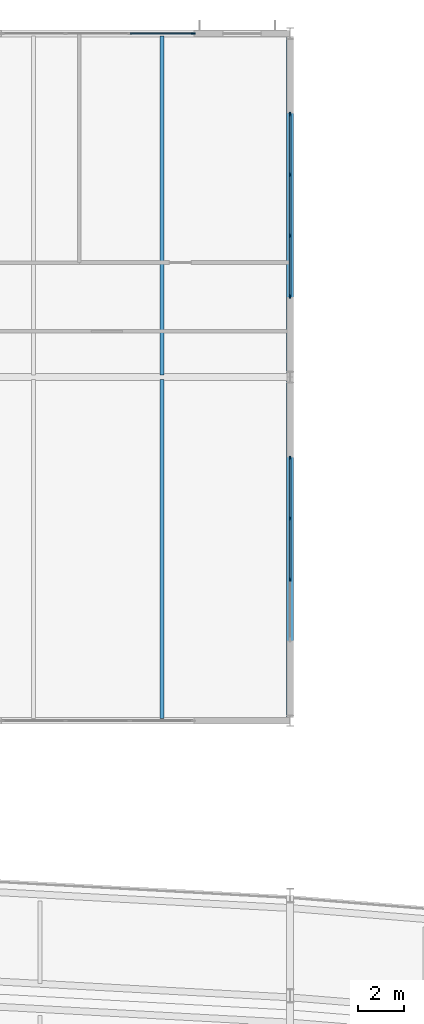
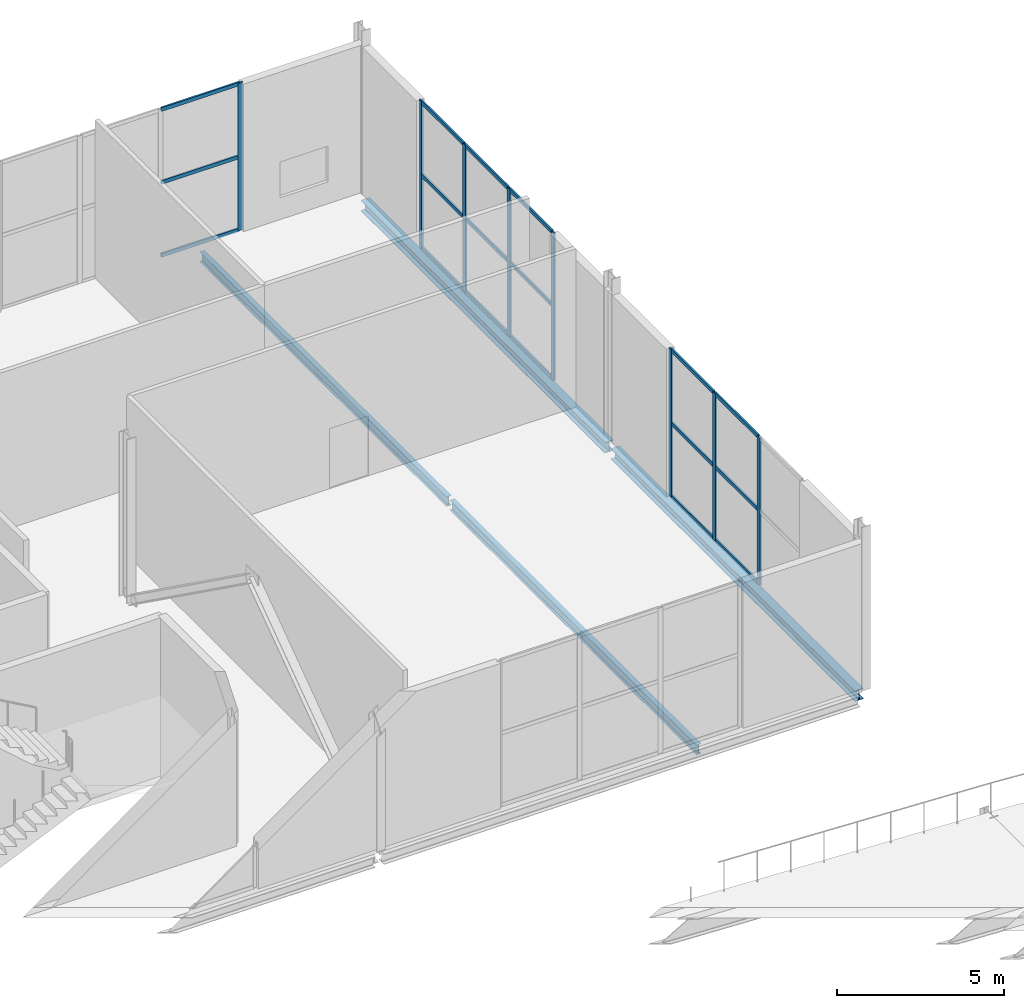
# One storey, part 62 of 100: 26 members, 4 beams, 3 elements without a shape of their own.
"""IFC4 building model written with IfcOpenShell, lengths in metres."""

from ifc_helpers import new_model, si_unit, direction, frame, origin, origin_2d, place, context, subcontext, project, spatial, rectangle, i_section, extrude, material, material_profile, profile_set, type_object, element, aggregate, save


model = new_model("IFC4")

# Units and contexts
model_context = context("Model", 3, precision=1e-05, world=origin(), true_north=direction((0.0, 1.0)))
body_context = subcontext(model_context, "Body", "Model", "MODEL_VIEW")
ifc_project = project(units=[si_unit("LENGTHUNIT", "METRE"), si_unit("AREAUNIT", "SQUARE_METRE"), si_unit("VOLUMEUNIT", "CUBIC_METRE"), si_unit("PLANEANGLEUNIT", "RADIAN"), si_unit("MASSUNIT", "GRAM", prefix="KILO")], contexts=[model_context])

# Site, building, storey
site_placement = place(None, origin())
site = spatial("IfcSite", under=ifc_project, at=site_placement, CompositionType="ELEMENT")
building_placement = place(site_placement, origin())
building = spatial("IfcBuilding", under=site, at=building_placement, Name="Kimbaza Rail Terminus", CompositionType="ELEMENT")
storey_placement = place(building_placement, frame((0.0, 0.0, 10.800048828125)))
storey = spatial("IfcBuildingStorey", under=building, at=storey_placement, Name="L02", CompositionType="ELEMENT", Elevation=10.800048828125)

# Curtain wall, member
ifc_material_1 = material(Name="Anodised aluminium framing and solar low-E glazing", Category="aluminium")
curtain_wall_type = type_object("IfcCurtainWallType", Name="ARC-CW-OP1", PredefinedType="USERDEFINED", material=ifc_material_1)
curtain_wall_1_placement = place(storey_placement, origin())
curtain_wall_1 = element("IfcCurtainWall", 1, at=curtain_wall_1_placement, inside=storey, type_object=curtain_wall_type, Name="Operations North Curtain Wall L02 Bay 6", ObjectType="UNITISED CURTAIN WALL", PredefinedType="USERDEFINED")
ifc_material_2 = material(Name="Anodised architectural aluminium", Category="aluminium")
ifc_material_profile_1 = material_profile(ifc_material_2, rectangle(XDim=0.06201171875, YDim=0.1650390625, at=origin_2d()), Name="MULLION 62x165")
ifc_profile_set_1 = profile_set([ifc_material_profile_1], Name="Anodised architectural aluminium")
member_type_1 = type_object("IfcMemberType", Name="ARC-CWM-05", PredefinedType="MULLION", material=ifc_profile_set_1)
member_1_placement = place(storey_placement, frame((151.76904296875, 133.0, 0.0), z_axis=(0.0, 0.0, 1.0), x_axis=(0.0, 1.0, 0.0)))
member_1 = element("IfcMember", 2, at=member_1_placement, type_object=member_type_1, Name="CW-05 mullion 4", PredefinedType="MULLION", context=body_context, shape_type="SweptSolid", body=[
    extrude(rectangle(XDim=0.06201171875, YDim=0.1650390625, at=origin_2d()), origin(), (0.0, 0.0, 1.0), 5.405029296875),
])

# Curtain wall, members
curtain_wall_2_placement = place(storey_placement, origin())
curtain_wall_2 = element("IfcCurtainWall", 3, at=curtain_wall_2_placement, inside=storey, type_object=curtain_wall_type, Name="Operations E Curtain Wall L02.1", ObjectType="UNITISED CURTAIN WALL", PredefinedType="USERDEFINED")
member_2_placement = place(storey_placement, frame((156.0, 109.166748046875, 0.0), z_axis=(0.0, 0.0, 1.0), x_axis=(-1.0, 0.0, 0.0)))
member_2 = element("IfcMember", 4, at=member_2_placement, type_object=member_type_1, Name="CW-05 mullion 2", PredefinedType="MULLION", context=body_context, shape_type="SweptSolid", body=[
    extrude(rectangle(XDim=0.06201171875, YDim=0.1650390625, at=origin_2d()), origin(), (0.0, 0.0, 1.0), 5.405029296875),
])
member_3_placement = place(storey_placement, frame((156.0, 111.833251953125, 0.0), z_axis=(0.0, 0.0, 1.0), x_axis=(-1.0, 0.0, 0.0)))
member_3 = element("IfcMember", 5, at=member_3_placement, type_object=member_type_1, Name="CW-05 mullion 3", PredefinedType="MULLION", context=body_context, shape_type="SweptSolid", body=[
    extrude(rectangle(XDim=0.06201171875, YDim=0.1650390625, at=origin_2d()), origin(), (0.0, 0.0, 1.0), 5.405029296875),
])
member_4_placement = place(storey_placement, frame((156.0, 114.468994140625, 0.0), z_axis=(0.0, 0.0, 1.0), x_axis=(-1.0, 0.0, 0.0)))
member_4 = element("IfcMember", 6, at=member_4_placement, type_object=member_type_1, Name="CW-05 mullion 4", PredefinedType="MULLION", context=body_context, shape_type="SweptSolid", body=[
    extrude(rectangle(XDim=0.06201171875, YDim=0.1650390625, at=origin_2d()), origin(), (0.0, 0.0, 1.0), 5.405029296875),
])

curtain_wall_3_placement = place(storey_placement, origin())
curtain_wall_3 = element("IfcCurtainWall", 7, at=curtain_wall_3_placement, inside=storey, type_object=curtain_wall_type, Name="Operations E Curtain Wall L02.2", ObjectType="UNITISED CURTAIN WALL", PredefinedType="USERDEFINED")
member_5_placement = place(storey_placement, frame((156.0, 121.531005859375, 0.0), z_axis=(0.0, 0.0, 1.0), x_axis=(-1.0, 0.0, 0.0)))
member_5 = element("IfcMember", 8, at=member_5_placement, type_object=member_type_1, Name="CW-05 mullion 1", PredefinedType="MULLION", context=body_context, shape_type="SweptSolid", body=[
    extrude(rectangle(XDim=0.06201171875, YDim=0.1650390625, at=origin_2d()), origin(), (0.0, 0.0, 1.0), 5.405029296875),
])
member_6_placement = place(storey_placement, frame((156.0, 124.166748046875, 0.0), z_axis=(0.0, 0.0, 1.0), x_axis=(-1.0, 0.0, 0.0)))
member_6 = element("IfcMember", 9, at=member_6_placement, type_object=member_type_1, Name="CW-05 mullion 2", PredefinedType="MULLION", context=body_context, shape_type="SweptSolid", body=[
    extrude(rectangle(XDim=0.06201171875, YDim=0.1650390625, at=origin_2d()), origin(), (0.0, 0.0, 1.0), 5.405029296875),
])
member_7_placement = place(storey_placement, frame((156.0, 126.833251953125, 0.0), z_axis=(0.0, 0.0, 1.0), x_axis=(-1.0, 0.0, 0.0)))
member_7 = element("IfcMember", 10, at=member_7_placement, type_object=member_type_1, Name="CW-05 mullion 3", PredefinedType="MULLION", context=body_context, shape_type="SweptSolid", body=[
    extrude(rectangle(XDim=0.06201171875, YDim=0.1650390625, at=origin_2d()), origin(), (0.0, 0.0, 1.0), 5.405029296875),
])
member_8_placement = place(storey_placement, frame((156.0, 129.468994140625, 0.0), z_axis=(0.0, 0.0, 1.0), x_axis=(-1.0, 0.0, 0.0)))
member_8 = element("IfcMember", 11, at=member_8_placement, type_object=member_type_1, Name="CW-05 mullion 4", PredefinedType="MULLION", context=body_context, shape_type="SweptSolid", body=[
    extrude(rectangle(XDim=0.06201171875, YDim=0.1650390625, at=origin_2d()), origin(), (0.0, 0.0, 1.0), 5.405029296875),
])

# Member
ifc_material_3 = material(Name="Anodised architectural aluminium", Category="aluminium")
ifc_material_profile_2 = material_profile(ifc_material_3, rectangle(XDim=0.06201171875, YDim=0.135009765625, at=origin_2d()), Name="TRANSOM 62x135")
ifc_profile_set_2 = profile_set([ifc_material_profile_2], Name="Anodised architectural aluminium")
member_type_2 = type_object("IfcMemberType", Name="ARC-CWT-05", PredefinedType="USERDEFINED", material=ifc_profile_set_2)
member_9_placement = place(storey_placement, frame((149.031005859375, 133.0, 0.031005859375), z_axis=(1.0, 0.0, 0.0), x_axis=(0.0, 1.0, 0.0)))
member_9 = element("IfcMember", 12, at=member_9_placement, type_object=member_type_2, Name="CW-05 transom 3.1", ObjectType="TRANSOM", PredefinedType="USERDEFINED", context=body_context, shape_type="SweptSolid", body=[
    extrude(rectangle(XDim=0.06201171875, YDim=0.135009765625, at=origin_2d()), origin(), (0.0, 0.0, 1.0), 2.70703125),
])

member_10_placement = place(storey_placement, frame((149.031005859375, 133.0, 2.702392578125), z_axis=(1.0, 0.0, 0.0), x_axis=(0.0, 1.0, 0.0)))
member_10 = element("IfcMember", 13, at=member_10_placement, type_object=member_type_2, Name="CW-05 transom 3.2", ObjectType="TRANSOM", PredefinedType="USERDEFINED", context=body_context, shape_type="SweptSolid", body=[
    extrude(rectangle(XDim=0.06201171875, YDim=0.135009765625, at=origin_2d()), origin(), (0.0, 0.0, 1.0), 2.70703125),
])

member_11_placement = place(storey_placement, frame((149.031005859375, 133.0, 5.3740234375), z_axis=(1.0, 0.0, 0.0), x_axis=(0.0, 1.0, 0.0)))
member_11 = element("IfcMember", 14, at=member_11_placement, type_object=member_type_2, Name="CW-05 transom 3.3", ObjectType="TRANSOM", PredefinedType="USERDEFINED", context=body_context, shape_type="SweptSolid", body=[
    extrude(rectangle(XDim=0.06201171875, YDim=0.135009765625, at=origin_2d()), origin(), (0.0, 0.0, 1.0), 2.70703125),
])

aggregate(curtain_wall_1, [member_1, member_9, member_10, member_11])

member_12_placement = place(storey_placement, frame((156.0, 109.19775390625, 0.031005859375), z_axis=(0.0, 1.0, 0.0), x_axis=(-1.0, 0.0, 0.0)))
member_12 = element("IfcMember", 15, at=member_12_placement, type_object=member_type_2, Name="CW-05 transom 2.1", ObjectType="TRANSOM", PredefinedType="USERDEFINED", context=body_context, shape_type="SweptSolid", body=[
    extrude(rectangle(XDim=0.06201171875, YDim=0.135009765625, at=origin_2d()), origin(), (0.0, 0.0, 1.0), 2.6044921875),
])

member_13_placement = place(storey_placement, frame((156.0, 109.19775390625, 2.702392578125), z_axis=(0.0, 1.0, 0.0), x_axis=(-1.0, 0.0, 0.0)))
member_13 = element("IfcMember", 16, at=member_13_placement, type_object=member_type_2, Name="CW-05 transom 2.2", ObjectType="TRANSOM", PredefinedType="USERDEFINED", context=body_context, shape_type="SweptSolid", body=[
    extrude(rectangle(XDim=0.06201171875, YDim=0.135009765625, at=origin_2d()), origin(), (0.0, 0.0, 1.0), 2.6044921875),
])

member_14_placement = place(storey_placement, frame((156.0, 109.19775390625, 5.3740234375), z_axis=(0.0, 1.0, 0.0), x_axis=(-1.0, 0.0, 0.0)))
member_14 = element("IfcMember", 17, at=member_14_placement, type_object=member_type_2, Name="CW-05 transom 2.3", ObjectType="TRANSOM", PredefinedType="USERDEFINED", context=body_context, shape_type="SweptSolid", body=[
    extrude(rectangle(XDim=0.06201171875, YDim=0.135009765625, at=origin_2d()), origin(), (0.0, 0.0, 1.0), 2.6044921875),
])

member_15_placement = place(storey_placement, frame((156.0, 111.8642578125, 0.031005859375), z_axis=(0.0, 1.0, 0.0), x_axis=(-1.0, 0.0, 0.0)))
member_15 = element("IfcMember", 18, at=member_15_placement, type_object=member_type_2, Name="CW-05 transom 3.1", ObjectType="TRANSOM", PredefinedType="USERDEFINED", context=body_context, shape_type="SweptSolid", body=[
    extrude(rectangle(XDim=0.06201171875, YDim=0.135009765625, at=origin_2d()), origin(), (0.0, 0.0, 1.0), 2.57373046875),
])

member_16_placement = place(storey_placement, frame((156.0, 111.8642578125, 2.702392578125), z_axis=(0.0, 1.0, 0.0), x_axis=(-1.0, 0.0, 0.0)))
member_16 = element("IfcMember", 19, at=member_16_placement, type_object=member_type_2, Name="CW-05 transom 3.2", ObjectType="TRANSOM", PredefinedType="USERDEFINED", context=body_context, shape_type="SweptSolid", body=[
    extrude(rectangle(XDim=0.06201171875, YDim=0.135009765625, at=origin_2d()), origin(), (0.0, 0.0, 1.0), 2.57373046875),
])

member_17_placement = place(storey_placement, frame((156.0, 111.8642578125, 5.3740234375), z_axis=(0.0, 1.0, 0.0), x_axis=(-1.0, 0.0, 0.0)))
member_17 = element("IfcMember", 20, at=member_17_placement, type_object=member_type_2, Name="CW-05 transom 3.3", ObjectType="TRANSOM", PredefinedType="USERDEFINED", context=body_context, shape_type="SweptSolid", body=[
    extrude(rectangle(XDim=0.06201171875, YDim=0.135009765625, at=origin_2d()), origin(), (0.0, 0.0, 1.0), 2.57373046875),
])

aggregate(curtain_wall_2, [member_2, member_3, member_4, member_12, member_13, member_14, member_15, member_16, member_17])

member_18_placement = place(storey_placement, frame((156.0, 121.56201171875, 0.031005859375), z_axis=(0.0, 1.0, 0.0), x_axis=(-1.0, 0.0, 0.0)))
member_18 = element("IfcMember", 21, at=member_18_placement, type_object=member_type_2, Name="CW-05 transom 1.1", ObjectType="TRANSOM", PredefinedType="USERDEFINED", context=body_context, shape_type="SweptSolid", body=[
    extrude(rectangle(XDim=0.06201171875, YDim=0.135009765625, at=origin_2d()), origin(), (0.0, 0.0, 1.0), 2.57373046875),
])

member_19_placement = place(storey_placement, frame((156.0, 121.56201171875, 2.702392578125), z_axis=(0.0, 1.0, 0.0), x_axis=(-1.0, 0.0, 0.0)))
member_19 = element("IfcMember", 22, at=member_19_placement, type_object=member_type_2, Name="CW-05 transom 1.2", ObjectType="TRANSOM", PredefinedType="USERDEFINED", context=body_context, shape_type="SweptSolid", body=[
    extrude(rectangle(XDim=0.06201171875, YDim=0.135009765625, at=origin_2d()), origin(), (0.0, 0.0, 1.0), 2.57373046875),
])

member_20_placement = place(storey_placement, frame((156.0, 121.56201171875, 5.3740234375), z_axis=(0.0, 1.0, 0.0), x_axis=(-1.0, 0.0, 0.0)))
member_20 = element("IfcMember", 23, at=member_20_placement, type_object=member_type_2, Name="CW-05 transom 1.3", ObjectType="TRANSOM", PredefinedType="USERDEFINED", context=body_context, shape_type="SweptSolid", body=[
    extrude(rectangle(XDim=0.06201171875, YDim=0.135009765625, at=origin_2d()), origin(), (0.0, 0.0, 1.0), 2.57373046875),
])

member_21_placement = place(storey_placement, frame((156.0, 124.19775390625, 0.031005859375), z_axis=(0.0, 1.0, 0.0), x_axis=(-1.0, 0.0, 0.0)))
member_21 = element("IfcMember", 24, at=member_21_placement, type_object=member_type_2, Name="CW-05 transom 2.1", ObjectType="TRANSOM", PredefinedType="USERDEFINED", context=body_context, shape_type="SweptSolid", body=[
    extrude(rectangle(XDim=0.06201171875, YDim=0.135009765625, at=origin_2d()), origin(), (0.0, 0.0, 1.0), 2.6044921875),
])

member_22_placement = place(storey_placement, frame((156.0, 124.19775390625, 2.702392578125), z_axis=(0.0, 1.0, 0.0), x_axis=(-1.0, 0.0, 0.0)))
member_22 = element("IfcMember", 25, at=member_22_placement, type_object=member_type_2, Name="CW-05 transom 2.2", ObjectType="TRANSOM", PredefinedType="USERDEFINED", context=body_context, shape_type="SweptSolid", body=[
    extrude(rectangle(XDim=0.06201171875, YDim=0.135009765625, at=origin_2d()), origin(), (0.0, 0.0, 1.0), 2.6044921875),
])

member_23_placement = place(storey_placement, frame((156.0, 124.19775390625, 5.3740234375), z_axis=(0.0, 1.0, 0.0), x_axis=(-1.0, 0.0, 0.0)))
member_23 = element("IfcMember", 26, at=member_23_placement, type_object=member_type_2, Name="CW-05 transom 2.3", ObjectType="TRANSOM", PredefinedType="USERDEFINED", context=body_context, shape_type="SweptSolid", body=[
    extrude(rectangle(XDim=0.06201171875, YDim=0.135009765625, at=origin_2d()), origin(), (0.0, 0.0, 1.0), 2.6044921875),
])

member_24_placement = place(storey_placement, frame((156.0, 126.8642578125, 0.031005859375), z_axis=(0.0, 1.0, 0.0), x_axis=(-1.0, 0.0, 0.0)))
member_24 = element("IfcMember", 27, at=member_24_placement, type_object=member_type_2, Name="CW-05 transom 3.1", ObjectType="TRANSOM", PredefinedType="USERDEFINED", context=body_context, shape_type="SweptSolid", body=[
    extrude(rectangle(XDim=0.06201171875, YDim=0.135009765625, at=origin_2d()), origin(), (0.0, 0.0, 1.0), 2.57373046875),
])

member_25_placement = place(storey_placement, frame((156.0, 126.8642578125, 2.702392578125), z_axis=(0.0, 1.0, 0.0), x_axis=(-1.0, 0.0, 0.0)))
member_25 = element("IfcMember", 28, at=member_25_placement, type_object=member_type_2, Name="CW-05 transom 3.2", ObjectType="TRANSOM", PredefinedType="USERDEFINED", context=body_context, shape_type="SweptSolid", body=[
    extrude(rectangle(XDim=0.06201171875, YDim=0.135009765625, at=origin_2d()), origin(), (0.0, 0.0, 1.0), 2.57373046875),
])

member_26_placement = place(storey_placement, frame((156.0, 126.8642578125, 5.3740234375), z_axis=(0.0, 1.0, 0.0), x_axis=(-1.0, 0.0, 0.0)))
member_26 = element("IfcMember", 29, at=member_26_placement, type_object=member_type_2, Name="CW-05 transom 3.3", ObjectType="TRANSOM", PredefinedType="USERDEFINED", context=body_context, shape_type="SweptSolid", body=[
    extrude(rectangle(XDim=0.06201171875, YDim=0.135009765625, at=origin_2d()), origin(), (0.0, 0.0, 1.0), 2.57373046875),
])

aggregate(curtain_wall_3, [member_5, member_6, member_7, member_8, member_18, member_19, member_20, member_21, member_22, member_23, member_24, member_25, member_26])

# Beams
ifc_material_4 = material(Name="Steel S355", Category="steel")
ifc_material_profile_3 = material_profile(ifc_material_4, i_section(OverallWidth=0.300048828125, OverallDepth=0.389892578125, WebThickness=0.010986328125, FlangeThickness=0.01904296875, FilletRadius=0.027099609375, at=origin_2d()), Name="HEA 400")
ifc_profile_set_3 = profile_set([ifc_material_profile_3], Name="Steel S355")
beam_type_1 = type_object("IfcBeamType", Name="STR-BM-HEA400", PredefinedType="SPANDREL", material=ifc_profile_set_3)
for number, where, z_axis, x_axis, name in (
    (30, (156.0, 103.175048828125, -0.43505859375), (0.0, 1.0, 0.0), (-1.0, 0.0, 0.0), "Operations Cross Girder L02 X6-Y0"),
    (31, (156.0, 118.175048828125, -0.43505859375), (0.0, 1.0, 0.0), (-1.0, 0.0, 0.0), "Operations Cross Girder L02 X6-Y1"),
):
    element("IfcBeam", number, at=place(storey_placement, frame(where, z_axis=z_axis, x_axis=x_axis)), inside=storey, type_object=beam_type_1, Name=name, PredefinedType="SPANDREL", context=body_context, shape_type="SweptSolid", body=[
        extrude(i_section(OverallWidth=0.300048828125, OverallDepth=0.389892578125, WebThickness=0.010986328125, FlangeThickness=0.01904296875, FilletRadius=0.027099609375, at=origin_2d()), origin(), (0.0, 0.0, 1.0), 14.64990234375),
    ])
ifc_material_5 = material(Name="Steel S355", Category="steel")
ifc_material_profile_4 = material_profile(ifc_material_5, i_section(OverallWidth=0.169921875, OverallDepth=0.360107421875, WebThickness=0.008056640625, FlangeThickness=0.0126953125, FilletRadius=0.01806640625, at=origin_2d()), Name="IPE 360")
ifc_profile_set_4 = profile_set([ifc_material_profile_4], Name="Steel S355")
beam_type_2 = type_object("IfcBeamType", Name="STR-BM-IPE360", PredefinedType="JOIST", material=ifc_profile_set_4)
for number, where, z_axis, x_axis, name in (
    (32, (150.39990234375, 103.10009765625, -0.420166015625), (0.0, 1.0, 0.0), (-1.0, 0.0, 0.0), "Operations Secondary Joist L02"),
    (33, (150.39990234375, 118.10009765625, -0.420166015625), (0.0, 1.0, 0.0), (-1.0, 0.0, 0.0), "Operations Secondary Joist L02"),
):
    element("IfcBeam", number, at=place(storey_placement, frame(where, z_axis=z_axis, x_axis=x_axis)), inside=storey, type_object=beam_type_2, Name=name, PredefinedType="JOIST", context=body_context, shape_type="SweptSolid", body=[
        extrude(i_section(OverallWidth=0.169921875, OverallDepth=0.360107421875, WebThickness=0.008056640625, FlangeThickness=0.0126953125, FilletRadius=0.01806640625, at=origin_2d()), origin(), (0.0, 0.0, 1.0), 14.7998046875),
    ])

save(model, "model.ifc")
